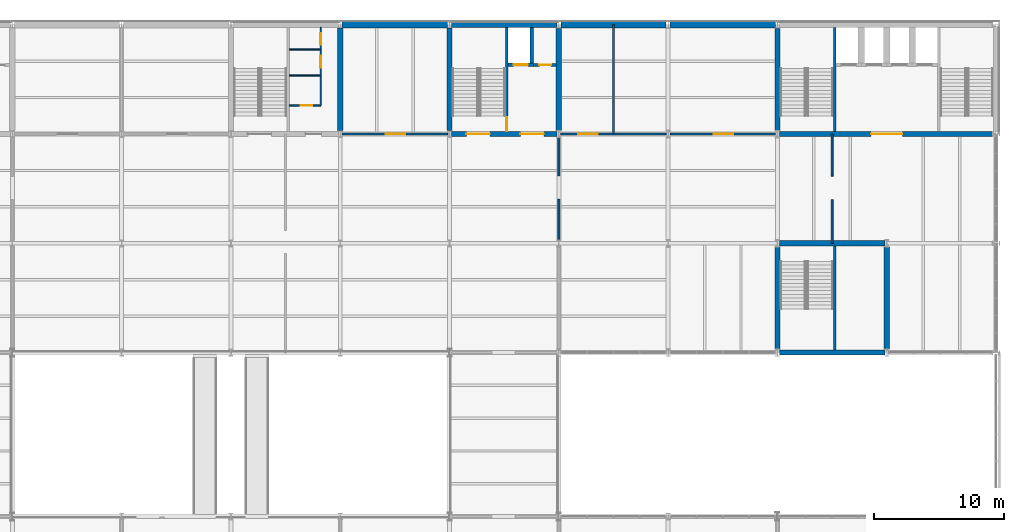
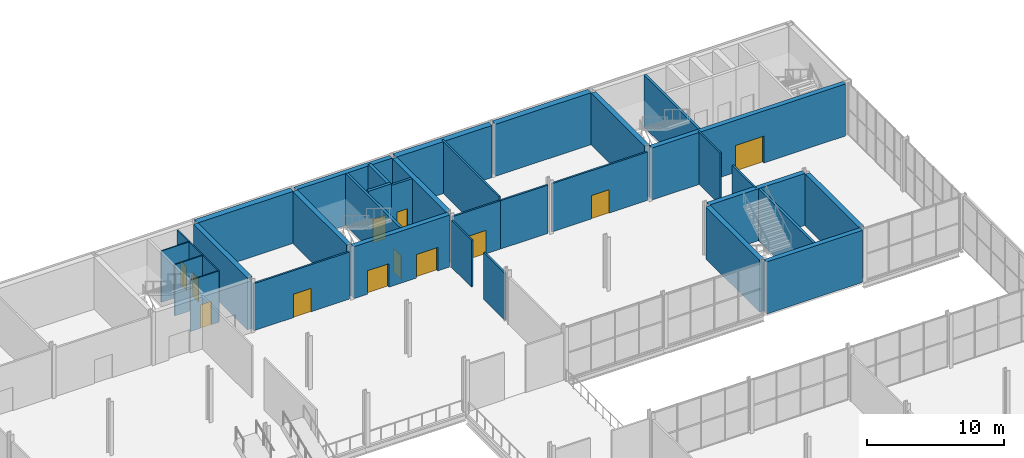
# One storey, part 40 of 61: 35 walls, 12 doors, 12 openings.
"""IFC4 building model written with IfcOpenShell, lengths in metres."""

from ifc_helpers import new_model, si_unit, direction, frame, frame_2d, origin, place, context, subcontext, project, spatial, rectangle, extrude, material, layer, layer_set, type_object, element, fill, save


model = new_model("IFC4")

# Units and contexts
model_context = context("Model", 3, precision=1e-05, world=origin(), true_north=direction((0.0, 1.0)))
body_context = subcontext(model_context, "Body", "Model", "MODEL_VIEW")
ifc_project = project(units=[si_unit("LENGTHUNIT", "METRE"), si_unit("AREAUNIT", "SQUARE_METRE"), si_unit("VOLUMEUNIT", "CUBIC_METRE"), si_unit("PLANEANGLEUNIT", "RADIAN"), si_unit("MASSUNIT", "GRAM", prefix="KILO")], contexts=[model_context])

# Site, building, storey
site_placement = place(None, origin())
site = spatial("IfcSite", under=ifc_project, at=site_placement, CompositionType="ELEMENT")
building_placement = place(site_placement, origin())
building = spatial("IfcBuilding", under=site, at=building_placement, Name="Galleria Vessillo Department Store", CompositionType="ELEMENT")
storey_placement = place(building_placement, frame((0.0, 0.0, 11.39990234375)))
storey = spatial("IfcBuildingStorey", under=building, at=storey_placement, Name="L02", CompositionType="ELEMENT", Elevation=11.39990234375)

# Wall, opening, door
ifc_material_1 = material(Name="Solid clay block masonry", Category="masonry")
ifc_layer_1 = layer(ifc_material_1, 0.25)
ifc_layer_set_1 = layer_set([ifc_layer_1], Name="Solid clay block masonry")
wall_type_1 = type_object("IfcWallType", Name="Lift shaft wall 250 mm", PredefinedType="SOLIDWALL", material=ifc_layer_set_1)
wall_1_placement = place(storey_placement, frame((80.10009765625, 59.925048828125, 0.0), z_axis=(0.0, 0.0, 1.0), x_axis=(1.0, 0.0, 0.0)))
wall_1 = element("IfcWall", 1, at=wall_1_placement, inside=storey, type_object=wall_type_1, Name="Lift shaft wall LP6 landing side L02", PredefinedType="SOLIDWALL", context=body_context, shape_type="SweptSolid", body=[
    extrude(rectangle(XDim=1.949951171875, YDim=0.25, at=frame_2d((0.97509765625, 0.0))), origin(), (0.0, 0.0, 1.0), 4.800048828125),
])
opening_1_placement = place(wall_1_placement, frame((0.4248046875, 0.0, 0.0)))
opening_1 = element("IfcOpeningElement", 2, at=opening_1_placement, cuts=wall_1, Name="Opening LD045", PredefinedType="OPENING", context=body_context, shape_type="SweptSolid", body=[
    extrude(rectangle(XDim=1.10009765625, YDim=2.10009765625, at=frame_2d((0.550048828125, 1.050048828125))), frame((0.0, 0.135009765625, 0.0), z_axis=(0.0, -1.0, 0.0), x_axis=(1.0, 0.0, 0.0)), (0.0, 0.0, 1.0), 0.27001953125),
])
ifc_material_2 = material(Name="Stainless steel lift door panel", Category="steel")
door_type_1 = type_object("IfcDoorType", Name="Lift landing door LD110 sliding 1100 x 2100", OperationType="SLIDING_TO_LEFT", PredefinedType="DOOR", material=ifc_material_2)
door_1_placement = place(opening_1_placement, frame((1.10009765625, 0.0, 0.0), z_axis=(0.0, 0.0, 1.0), x_axis=(-1.0, 0.0, 0.0)))
door_1 = element("IfcDoor", 3, at=door_1_placement, inside=storey, type_object=door_type_1, Name="Lift landing door LP6 L02", OperationType="SLIDING_TO_RIGHT", OverallHeight=2.10009765625, OverallWidth=1.10009765625, PredefinedType="DOOR", context=body_context, shape_type="SweptSolid", body=[
    extrude(rectangle(XDim=1.10009765625, YDim=2.10009765625, at=frame_2d((0.550048828125, 1.050048828125))), frame((0.0, 0.02490234375, 0.0), z_axis=(0.0, -1.0, 0.0), x_axis=(1.0, 0.0, 0.0)), (0.0, 0.0, 1.0), 0.050048828125),
])
fill(opening_1, door_1)

# Wall
wall_2_placement = place(storey_placement, frame((81.925048828125, 62.800048828125, 0.0), z_axis=(0.0, 0.0, 1.0), x_axis=(0.0, -1.0, 0.0)))
element("IfcWall", 4, at=wall_2_placement, inside=storey, type_object=wall_type_1, Name="Lift shaft wall LP6 L02", PredefinedType="SOLIDWALL", context=body_context, shape_type="SweptSolid", body=[
    extrude(rectangle(XDim=2.75, YDim=0.25, at=frame_2d((1.375, 0.0))), origin(), (0.0, 0.0, 1.0), 4.800048828125),
])

# Wall, openings, doors
ifc_material_3 = material(Name="Concrete C32/40 reinforced", Category="concrete")
ifc_layer_2 = layer(ifc_material_3, 0.39990234375)
ifc_layer_set_2 = layer_set([ifc_layer_2], Name="Concrete C32/40 reinforced")
wall_type_2 = type_object("IfcWallType", Name="Reinforced concrete core wall 400 mm", PredefinedType="SHEAR", material=ifc_layer_set_2)
wall_3_placement = place(storey_placement, frame((75.75, 54.60009765625, 0.0), z_axis=(0.0, 0.0, 1.0), x_axis=(1.0, 0.0, 0.0)))
wall_3 = element("IfcWall", 5, at=wall_3_placement, inside=storey, type_object=wall_type_2, Name="S-CW-PC-NE-INTERIOR-L02", PredefinedType="SHEAR", context=body_context, shape_type="SweptSolid", body=[
    extrude(rectangle(XDim=8.096923828125, YDim=0.39990234375, at=frame_2d((4.04833984375, 0.0))), origin(), (0.0, 0.0, 1.0), 4.650146484375),
])
opening_2_placement = place(wall_3_placement, frame((1.14990234375, 0.0, 0.0)))
opening_2 = element("IfcOpeningElement", 6, at=opening_2_placement, cuts=wall_3, Name="Opening D5175", PredefinedType="OPENING", context=body_context, shape_type="SweptSolid", body=[
    extrude(rectangle(XDim=1.800048828125, YDim=2.10009765625, at=frame_2d((0.89990234375, 1.050048828125))), frame((0.0, 0.2099609375, 0.0), z_axis=(0.0, -1.0, 0.0), x_axis=(1.0, 0.0, 0.0)), (0.0, 0.0, 1.0), 0.419921875),
])
opening_3_placement = place(wall_3_placement, frame((5.2998046875, 0.0, 0.0)))
opening_3 = element("IfcOpeningElement", 7, at=opening_3_placement, cuts=wall_3, Name="Opening D5176", PredefinedType="OPENING", context=body_context, shape_type="SweptSolid", body=[
    extrude(rectangle(XDim=1.800048828125, YDim=2.10009765625, at=frame_2d((0.89990234375, 1.050048828125))), frame((0.0, 0.2099609375, 0.0), z_axis=(0.0, -1.0, 0.0), x_axis=(1.0, 0.0, 0.0)), (0.0, 0.0, 1.0), 0.419921875),
])
ifc_material_4 = material(Name="Fire-rated steel door leaf", Category="steel")
door_type_2 = type_object("IfcDoorType", Name="Door D180F double leaf 1800 x 2100", OperationType="DOUBLE_DOOR_SINGLE_SWING", PredefinedType="DOOR", material=ifc_material_4)
door_2_placement = place(opening_2_placement, origin())
door_2 = element("IfcDoor", 8, at=door_2_placement, inside=storey, type_object=door_type_2, Name="Lobby door PC-NE-ST-FLOOR L02", OperationType="DOUBLE_DOOR_SINGLE_SWING", OverallHeight=2.10009765625, OverallWidth=1.800048828125, PredefinedType="DOOR", context=body_context, shape_type="SweptSolid", body=[
    extrude(rectangle(XDim=1.800048828125, YDim=2.10009765625, at=frame_2d((0.89990234375, 1.050048828125))), frame((0.0, 0.02490234375, 0.0), z_axis=(0.0, -1.0, 0.0), x_axis=(1.0, 0.0, 0.0)), (0.0, 0.0, 1.0), 0.050048828125),
])
fill(opening_2, door_2)
door_3_placement = place(opening_3_placement, origin())
door_3 = element("IfcDoor", 9, at=door_3_placement, inside=storey, type_object=door_type_2, Name="Lobby door PC-NE-LOBBY-FLOOR L02", OperationType="DOUBLE_DOOR_SINGLE_SWING", OverallHeight=2.10009765625, OverallWidth=1.800048828125, PredefinedType="DOOR", context=body_context, shape_type="SweptSolid", body=[
    extrude(rectangle(XDim=1.800048828125, YDim=2.10009765625, at=frame_2d((0.89990234375, 1.050048828125))), frame((0.0, 0.02490234375, 0.0), z_axis=(0.0, -1.0, 0.0), x_axis=(1.0, 0.0, 0.0)), (0.0, 0.0, 1.0), 0.050048828125),
])
fill(opening_3, door_3)

# Walls
wall_4_placement = place(storey_placement, frame((75.60009765625, 54.85009765625, 0.0), z_axis=(0.0, 0.0, 1.0), x_axis=(0.0, 1.0, 0.0)))
element("IfcWall", 10, at=wall_4_placement, inside=storey, type_object=wall_type_2, Name="S-CW-PC-NE-WEST-L02", PredefinedType="SHEAR", context=body_context, shape_type="SweptSolid", body=[
    extrude(rectangle(XDim=7.89990234375, YDim=0.39990234375, at=frame_2d((3.949951171875, 0.0))), origin(), (0.0, 0.0, 1.0), 4.650146484375),
])
wall_5_placement = place(storey_placement, frame((84.0, 54.885986328125, 0.0), z_axis=(0.0, 0.0, 1.0), x_axis=(0.0, 1.0, 0.0)))
element("IfcWall", 11, at=wall_5_placement, inside=storey, type_object=wall_type_2, Name="S-CW-PC-NE-EAST-L02", PredefinedType="SHEAR", context=body_context, shape_type="SweptSolid", body=[
    extrude(rectangle(XDim=7.828125, YDim=0.39990234375, at=frame_2d((3.9140625, 0.0))), origin(), (0.0, 0.0, 1.0), 4.650146484375),
])
wall_6_placement = place(storey_placement, frame((67.199951171875, 54.85009765625, 0.0), z_axis=(0.0, 0.0, 1.0), x_axis=(0.0, 1.0, 0.0)))
element("IfcWall", 12, at=wall_6_placement, inside=storey, type_object=wall_type_2, Name="S-CW-PC-NC-EAST-L02", PredefinedType="SHEAR", context=body_context, shape_type="SweptSolid", body=[
    extrude(rectangle(XDim=7.89990234375, YDim=0.39990234375, at=frame_2d((3.949951171875, 0.0))), origin(), (0.0, 0.0, 1.0), 4.650146484375),
])

# Wall, opening, door
wall_7_placement = place(storey_placement, frame((100.953125, 54.60009765625, 0.0), z_axis=(0.0, 0.0, 1.0), x_axis=(1.0, 0.0, 0.0)))
wall_7 = element("IfcWall", 13, at=wall_7_placement, inside=storey, type_object=wall_type_2, Name="S-CW-TC-INTERIOR-L02", PredefinedType="SHEAR", context=body_context, shape_type="SweptSolid", body=[
    extrude(rectangle(XDim=16.361083984375, YDim=0.39990234375, at=frame_2d((8.1806640625, 0.0))), origin(), (0.0, 0.0, 1.0), 4.650146484375),
])
opening_4_placement = place(wall_7_placement, frame((7.046875, 0.0, 0.0)))
opening_4 = element("IfcOpeningElement", 14, at=opening_4_placement, cuts=wall_7, Name="Opening D5266", PredefinedType="OPENING", context=body_context, shape_type="SweptSolid", body=[
    extrude(rectangle(XDim=2.39990234375, YDim=2.39990234375, at=frame_2d((1.199951171875, 1.199951171875))), frame((0.0, 0.2099609375, 0.0), z_axis=(0.0, -1.0, 0.0), x_axis=(1.0, 0.0, 0.0)), (0.0, 0.0, 1.0), 0.419921875),
])
ifc_material_5 = material(Name="Fire-rated steel door leaf", Category="steel")
door_type_3 = type_object("IfcDoorType", Name="Door D240F double leaf 2400 x 2400", OperationType="DOUBLE_DOOR_SINGLE_SWING", PredefinedType="DOOR", material=ifc_material_5)
door_4_placement = place(opening_4_placement, origin())
door_4 = element("IfcDoor", 15, at=door_4_placement, inside=storey, type_object=door_type_3, Name="Lobby door TC-LOBBY-FLOOR L02", OperationType="DOUBLE_DOOR_SINGLE_SWING", OverallHeight=2.39990234375, OverallWidth=2.39990234375, PredefinedType="DOOR", context=body_context, shape_type="SweptSolid", body=[
    extrude(rectangle(XDim=2.39990234375, YDim=2.39990234375, at=frame_2d((1.199951171875, 1.199951171875))), frame((0.0, 0.02490234375, 0.0), z_axis=(0.0, -1.0, 0.0), x_axis=(1.0, 0.0, 0.0)), (0.0, 0.0, 1.0), 0.050048828125),
])
fill(opening_4, door_4)

# Walls
wall_8_placement = place(storey_placement, frame((100.800048828125, 54.885986328125, 0.0), z_axis=(0.0, 0.0, 1.0), x_axis=(0.0, 1.0, 0.0)))
element("IfcWall", 16, at=wall_8_placement, inside=storey, type_object=wall_type_2, Name="S-CW-TC-WEST-L02", PredefinedType="SHEAR", context=body_context, shape_type="SweptSolid", body=[
    extrude(rectangle(XDim=7.828125, YDim=0.39990234375, at=frame_2d((3.9140625, 0.0))), origin(), (0.0, 0.0, 1.0), 4.650146484375),
])
for number, where, z_axis, x_axis, name in (
    (17, (100.953125, 37.800048828125, 0.0), (0.0, 0.0, 1.0), (1.0, 0.0, 0.0), "S-CW-TS-PARTY-L02"),
    (18, (100.953125, 46.199951171875, 0.0), (0.0, 0.0, 1.0), (1.0, 0.0, 0.0), "S-CW-TS-INTERIOR-L02"),
):
    element("IfcWall", number, at=place(storey_placement, frame(where, z_axis=z_axis, x_axis=x_axis)), inside=storey, type_object=wall_type_2, Name=name, PredefinedType="SHEAR", context=body_context, shape_type="SweptSolid", body=[
        extrude(rectangle(XDim=8.09375, YDim=0.39990234375, at=frame_2d((4.046875, 0.0))), origin(), (0.0, 0.0, 1.0), 4.650146484375),
    ])
for number, where, z_axis, x_axis, name in (
    (19, (100.800048828125, 38.0859375, 0.0), (0.0, 0.0, 1.0), (0.0, 1.0, 0.0), "S-CW-TS-WEST-L02"),
    (20, (109.199951171875, 38.0859375, 0.0), (0.0, 0.0, 1.0), (0.0, 1.0, 0.0), "S-CW-TS-EAST-L02"),
):
    element("IfcWall", number, at=place(storey_placement, frame(where, z_axis=z_axis, x_axis=x_axis)), inside=storey, type_object=wall_type_2, Name=name, PredefinedType="SHEAR", context=body_context, shape_type="SweptSolid", body=[
        extrude(rectangle(XDim=7.828125, YDim=0.39990234375, at=frame_2d((3.9140625, 0.0))), origin(), (0.0, 0.0, 1.0), 4.650146484375),
    ])
ifc_material_6 = material(Name="Concrete C32/40 reinforced", Category="concrete")
ifc_layer_3 = layer(ifc_material_6, 0.39990234375)
ifc_layer_set_3 = layer_set([ifc_layer_3], Name="Concrete C32/40 reinforced")
wall_type_3 = type_object("IfcWallType", Name="Reinforced concrete core wall 400 mm, external", PredefinedType="SHEAR", material=ifc_layer_set_3)
wall_9_placement = place(storey_placement, frame((75.75, 63.0, 0.0), z_axis=(0.0, 0.0, 1.0), x_axis=(1.0, 0.0, 0.0)))
element("IfcWall", 21, at=wall_9_placement, inside=storey, type_object=wall_type_3, Name="S-CW-PC-NE-PARTY-L02", PredefinedType="SHEAR", context=body_context, shape_type="SweptSolid", body=[
    extrude(rectangle(XDim=8.096923828125, YDim=0.39990234375, at=frame_2d((4.04833984375, 0.0))), origin(), (0.0, 0.0, 1.0), 4.650146484375),
])
ifc_material_7 = material(Name="Concrete C32/40 reinforced", Category="concrete")
ifc_layer_4 = layer(ifc_material_7, 0.5)
ifc_layer_set_4 = layer_set([ifc_layer_4], Name="Concrete C32/40 reinforced")
wall_type_4 = type_object("IfcWallType", Name="Reinforced concrete party wall 500 mm", PredefinedType="SHEAR", material=ifc_layer_set_4)
wall_10_placement = place(storey_placement, frame((67.349853515625, 63.0, 0.0), z_axis=(0.0, 0.0, 1.0), x_axis=(1.0, 0.0, 0.0)))
element("IfcWall", 22, at=wall_10_placement, inside=storey, type_object=wall_type_4, Name="S-PN-L02-06", PredefinedType="SHEAR", context=body_context, shape_type="SweptSolid", body=[
    extrude(rectangle(XDim=8.100341796875, YDim=0.5, at=frame_2d((4.05029296875, 0.0))), origin(), (0.0, 0.0, 1.0), 4.650146484375),
])
wall_11_placement = place(storey_placement, frame((84.153076171875, 63.0, 0.0), z_axis=(0.0, 0.0, 1.0), x_axis=(1.0, 0.0, 0.0)))
element("IfcWall", 23, at=wall_11_placement, inside=storey, type_object=wall_type_4, Name="S-PN-L02-07", PredefinedType="SHEAR", context=body_context, shape_type="SweptSolid", body=[
    extrude(rectangle(XDim=8.09375, YDim=0.5, at=frame_2d((4.046875, 0.0))), origin(), (0.0, 0.0, 1.0), 4.650146484375),
])
wall_12_placement = place(storey_placement, frame((92.552978515625, 63.0, 0.0), z_axis=(0.0, 0.0, 1.0), x_axis=(1.0, 0.0, 0.0)))
element("IfcWall", 24, at=wall_12_placement, inside=storey, type_object=wall_type_4, Name="S-PN-L02-08", PredefinedType="SHEAR", context=body_context, shape_type="SweptSolid", body=[
    extrude(rectangle(XDim=8.093994140625, YDim=0.5, at=frame_2d((4.046875, 0.0))), origin(), (0.0, 0.0, 1.0), 4.650146484375),
])

# Wall, opening, door
ifc_material_8 = material(Name="Concrete C32/40 reinforced", Category="concrete")
ifc_layer_5 = layer(ifc_material_8, 0.199951171875)
ifc_layer_set_5 = layer_set([ifc_layer_5], Name="Concrete C32/40 reinforced")
wall_type_5 = type_object("IfcWallType", Name="Reinforced concrete stair enclosure wall 200 mm", PredefinedType="SHEAR", material=ifc_layer_set_5)
wall_13_placement = place(storey_placement, frame((80.0, 62.800048828125, 0.0), z_axis=(0.0, 0.0, 1.0), x_axis=(0.0, -1.0, 0.0)))
wall_13 = element("IfcWall", 25, at=wall_13_placement, inside=storey, type_object=wall_type_5, Name="Stair enclosure wall PC-NE L02", PredefinedType="SHEAR", context=body_context, shape_type="SweptSolid", body=[
    extrude(rectangle(XDim=8.0, YDim=0.199951171875, at=frame_2d((4.0, 0.0))), origin(), (0.0, 0.0, 1.0), 4.650146484375),
])
opening_5_placement = place(wall_13_placement, frame((6.89990234375, 0.0, 0.0)))
opening_5 = element("IfcOpeningElement", 26, at=opening_5_placement, cuts=wall_13, Name="Opening D5173", PredefinedType="OPENING", context=body_context, shape_type="SweptSolid", body=[
    extrude(rectangle(XDim=1.11009765625, YDim=2.10009765625, at=frame_2d((0.554931640625, 1.050048828125))), frame((0.0, 0.10986328125, 0.0), z_axis=(0.0, -1.0, 0.0), x_axis=(1.0, 0.0, 0.0)), (0.0, 0.0, 1.0), 0.219970703125),
])
ifc_material_9 = material(Name="Fire-rated steel door leaf", Category="steel")
door_type_4 = type_object("IfcDoorType", Name="Door D110F stair door 1100 x 2100", OperationType="SINGLE_SWING_LEFT", PredefinedType="DOOR", material=ifc_material_9)
door_5_placement = place(opening_5_placement, frame((1.10009765625, 0.0, 0.0), z_axis=(0.0, 0.0, 1.0), x_axis=(-1.0, 0.0, 0.0)))
door_5 = element("IfcDoor", 27, at=door_5_placement, inside=storey, type_object=door_type_4, Name="Stair door PC-NE-ST-LOBBY L02", OperationType="SINGLE_SWING_LEFT", OverallHeight=2.10009765625, OverallWidth=1.10009765625, PredefinedType="DOOR", context=body_context, shape_type="SweptSolid", body=[
    extrude(rectangle(XDim=1.10009765625, YDim=2.10009765625, at=frame_2d((0.550048828125, 1.050048828125))), frame((0.0, 0.02490234375, 0.0), z_axis=(0.0, -1.0, 0.0), x_axis=(1.0, 0.0, 0.0)), (0.0, 0.0, 1.0), 0.050048828125),
])
fill(opening_5, door_5)

# Walls
for number, where, z_axis, x_axis, name in (
    (28, (105.199951171875, 62.800048828125, 0.0), (0.0, 0.0, 1.0), (0.0, -1.0, 0.0), "Stair enclosure wall TC L02"),
    (29, (105.199951171875, 38.0, 0.0), (0.0, 0.0, 1.0), (0.0, 1.0, 0.0), "Stair enclosure wall TS L02"),
):
    element("IfcWall", number, at=place(storey_placement, frame(where, z_axis=z_axis, x_axis=x_axis)), inside=storey, type_object=wall_type_5, Name=name, PredefinedType="SHEAR", context=body_context, shape_type="SweptSolid", body=[
        extrude(rectangle(XDim=8.0, YDim=0.199951171875, at=frame_2d((4.0, 0.0))), origin(), (0.0, 0.0, 1.0), 4.650146484375),
    ])

# Wall, opening, door
ifc_material_10 = material(Name="Hollow clay block masonry", Category="masonry")
ifc_layer_6 = layer(ifc_material_10, 0.199951171875)
ifc_layer_set_6 = layer_set([ifc_layer_6], Name="Hollow clay block masonry")
wall_type_6 = type_object("IfcWallType", Name="Riser and service room wall 200 mm", PredefinedType="PARTITIONING", material=ifc_layer_set_6)
wall_14_placement = place(storey_placement, frame((82.050048828125, 59.900146484375, 0.0), z_axis=(0.0, 0.0, 1.0), x_axis=(1.0, 0.0, 0.0)))
wall_14 = element("IfcWall", 30, at=wall_14_placement, inside=storey, type_object=wall_type_6, Name="Riser wall PC-NE-RISER L02", PredefinedType="PARTITIONING", context=body_context, shape_type="SweptSolid", body=[
    extrude(rectangle(XDim=1.75, YDim=0.199951171875, at=frame_2d((0.875, 0.0))), origin(), (0.0, 0.0, 1.0), 4.650146484375),
])
opening_6_placement = place(wall_14_placement, frame((0.449951171875, 0.0, 0.0)))
opening_6 = element("IfcOpeningElement", 31, at=opening_6_placement, cuts=wall_14, Name="Opening D5174", PredefinedType="OPENING", context=body_context, shape_type="SweptSolid", body=[
    extrude(rectangle(XDim=0.89990234375, YDim=2.10009765625, at=frame_2d((0.449951171875, 1.050048828125))), frame((0.0, 0.10986328125, 0.0), z_axis=(0.0, -1.0, 0.0), x_axis=(1.0, 0.0, 0.0)), (0.0, 0.0, 1.0), 0.219970703125),
])
ifc_material_11 = material(Name="Fire-rated steel door leaf", Category="steel")
door_type_5 = type_object("IfcDoorType", Name="Door DR90 riser access 900 x 2100", OperationType="SINGLE_SWING_LEFT", PredefinedType="DOOR", material=ifc_material_11)
door_6_placement = place(opening_6_placement, origin())
door_6 = element("IfcDoor", 32, at=door_6_placement, inside=storey, type_object=door_type_5, Name="Riser door PC-NE-RISER-D L02", OperationType="SINGLE_SWING_RIGHT", OverallHeight=2.10009765625, OverallWidth=0.89990234375, PredefinedType="DOOR", context=body_context, shape_type="SweptSolid", body=[
    extrude(rectangle(XDim=0.89990234375, YDim=2.10009765625, at=frame_2d((0.449951171875, 1.050048828125))), frame((0.0, 0.02490234375, 0.0), z_axis=(0.0, -1.0, 0.0), x_axis=(1.0, 0.0, 0.0)), (0.0, 0.0, 1.0), 0.050048828125),
])
fill(opening_6, door_6)

# Walls
ifc_material_12 = material(Name="Gypsum board partition")
ifc_layer_7 = layer(ifc_material_12, 0.139892578125)
ifc_layer_set_7 = layer_set([ifc_layer_7], Name="Gypsum board partition")
wall_type_7 = type_object("IfcWallType", Name="Sales dividing wall 140 mm", PredefinedType="PARTITIONING", material=ifc_layer_set_7)
wall_15_placement = place(storey_placement, frame((84.0, 46.48583984375, 0.0), z_axis=(0.0, 0.0, 1.0), x_axis=(0.0, 1.0, 0.0)))
element("IfcWall", 33, at=wall_15_placement, inside=storey, type_object=wall_type_7, Name="Partition wall PT3 on L02 no. 069", PredefinedType="PARTITIONING", context=body_context, shape_type="SweptSolid", body=[
    extrude(rectangle(XDim=3.10009765625, YDim=0.139892578125, at=frame_2d((1.550048828125, 0.0))), origin(), (0.0, 0.0, 1.0), 4.210205078125),
])
wall_16_placement = place(storey_placement, frame((84.0, 51.385986328125, 0.0), z_axis=(0.0, 0.0, 1.0), x_axis=(0.0, 1.0, 0.0)))
element("IfcWall", 34, at=wall_16_placement, inside=storey, type_object=wall_type_7, Name="Partition wall PT3 on L02 no. 070", PredefinedType="PARTITIONING", context=body_context, shape_type="SweptSolid", body=[
    extrude(rectangle(XDim=2.92822265625, YDim=0.139892578125, at=frame_2d((1.464111328125, 0.0))), origin(), (0.0, 0.0, 1.0), 4.210205078125),
])
wall_17_placement = place(storey_placement, frame((105.0, 46.2099609375, 0.0), z_axis=(0.0, 0.0, 1.0), x_axis=(0.0, 1.0, 0.0)))
element("IfcWall", 35, at=wall_17_placement, inside=storey, type_object=wall_type_7, Name="Partition wall PT3 on L02 no. 073", PredefinedType="PARTITIONING", context=body_context, shape_type="SweptSolid", body=[
    extrude(rectangle(XDim=3.35009765625, YDim=0.139892578125, at=frame_2d((1.675048828125, 0.0))), origin(), (0.0, 0.0, 1.0), 4.650146484375),
])
wall_18_placement = place(storey_placement, frame((105.0, 51.35986328125, 0.0), z_axis=(0.0, 0.0, 1.0), x_axis=(0.0, 1.0, 0.0)))
element("IfcWall", 36, at=wall_18_placement, inside=storey, type_object=wall_type_7, Name="Partition wall PT3 on L02 no. 074", PredefinedType="PARTITIONING", context=body_context, shape_type="SweptSolid", body=[
    extrude(rectangle(XDim=3.230224609375, YDim=0.139892578125, at=frame_2d((1.615234375, 0.0))), origin(), (0.0, 0.0, 1.0), 4.650146484375),
])

# Wall, opening, door
ifc_material_13 = material(Name="Concrete blockwork", Category="masonry")
ifc_layer_8 = layer(ifc_material_13, 0.14990234375)
ifc_layer_set_8 = layer_set([ifc_layer_8], Name="Concrete blockwork")
wall_type_8 = type_object("IfcWallType", Name="Stockroom blockwork wall 150 mm", PredefinedType="SOLIDWALL", material=ifc_layer_set_8)
wall_19_placement = place(storey_placement, frame((67.349853515625, 54.60009765625, 0.0), z_axis=(0.0, 0.0, 1.0), x_axis=(1.0, 0.0, 0.0)))
wall_19 = element("IfcWall", 37, at=wall_19_placement, inside=storey, type_object=wall_type_8, Name="Partition wall PT4 on L02 no. 031", PredefinedType="SOLIDWALL", context=body_context, shape_type="SweptSolid", body=[
    extrude(rectangle(XDim=8.100341796875, YDim=0.14990234375, at=frame_2d((4.05029296875, 0.0))), origin(), (0.0, 0.0, 1.0), 4.210205078125),
])
opening_7_placement = place(wall_19_placement, frame((3.35009765625, 0.0, 0.0)))
opening_7 = element("IfcOpeningElement", 38, at=opening_7_placement, cuts=wall_19, Name="Opening D2419", PredefinedType="OPENING", context=body_context, shape_type="SweptSolid", body=[
    extrude(rectangle(XDim=1.5, YDim=2.10009765625, at=frame_2d((0.75, 1.050048828125))), frame((0.0, 0.0849609375, 0.0), z_axis=(0.0, -1.0, 0.0), x_axis=(1.0, 0.0, 0.0)), (0.0, 0.0, 1.0), 0.169921875),
])
ifc_material_14 = material(Name="Steel fire door leaf", Category="steel")
door_type_6 = type_object("IfcDoorType", Name="Stockroom fire door 1500 double leaf", OperationType="DOUBLE_DOOR_SINGLE_SWING", PredefinedType="DOOR", material=ifc_material_14)
door_7_placement = place(opening_7_placement, origin())
door_7 = element("IfcDoor", 39, at=door_7_placement, inside=storey, type_object=door_type_6, Name="Door D2419", OperationType="DOUBLE_DOOR_SINGLE_SWING", OverallHeight=2.10009765625, OverallWidth=1.5, PredefinedType="DOOR", context=body_context, shape_type="SweptSolid", body=[
    extrude(rectangle(XDim=1.5, YDim=2.10009765625, at=frame_2d((0.75, 1.050048828125))), frame((0.0, 0.02490234375, 0.0), z_axis=(0.0, -1.0, 0.0), x_axis=(1.0, 0.0, 0.0)), (0.0, 0.0, 1.0), 0.050048828125),
])
fill(opening_7, door_7)

# Wall
wall_20_placement = place(storey_placement, frame((88.199951171875, 54.60009765625, 0.0), z_axis=(0.0, 0.0, 1.0), x_axis=(0.0, 1.0, 0.0)))
element("IfcWall", 40, at=wall_20_placement, inside=storey, type_object=wall_type_8, Name="Partition wall PT4 on L02 no. 032", PredefinedType="SOLIDWALL", context=body_context, shape_type="SweptSolid", body=[
    extrude(rectangle(XDim=8.39990234375, YDim=0.14990234375, at=frame_2d((4.199951171875, 0.0))), origin(), (0.0, 0.0, 1.0), 4.650146484375),
])

# Wall, opening, door
wall_21_placement = place(storey_placement, frame((84.153076171875, 54.60009765625, 0.0), z_axis=(0.0, 0.0, 1.0), x_axis=(1.0, 0.0, 0.0)))
wall_21 = element("IfcWall", 41, at=wall_21_placement, inside=storey, type_object=wall_type_8, Name="Partition wall PT4 on L02 no. 033", PredefinedType="SOLIDWALL", context=body_context, shape_type="SweptSolid", body=[
    extrude(rectangle(XDim=4.046875, YDim=0.14990234375, at=frame_2d((2.0234375, 0.0))), origin(), (0.0, 0.0, 1.0), 4.320068359375),
])
opening_8_placement = place(wall_21_placement, frame((1.35009765625, 0.0, 0.0)))
opening_8 = element("IfcOpeningElement", 42, at=opening_8_placement, cuts=wall_21, Name="Opening D2420", PredefinedType="OPENING", context=body_context, shape_type="SweptSolid", body=[
    extrude(rectangle(XDim=1.5, YDim=2.10009765625, at=frame_2d((0.75, 1.050048828125))), frame((0.0, 0.0849609375, 0.0), z_axis=(0.0, -1.0, 0.0), x_axis=(1.0, 0.0, 0.0)), (0.0, 0.0, 1.0), 0.169921875),
])
door_8_placement = place(opening_8_placement, origin())
door_8 = element("IfcDoor", 43, at=door_8_placement, inside=storey, type_object=door_type_6, Name="Door D2420", OperationType="DOUBLE_DOOR_SINGLE_SWING", OverallHeight=2.10009765625, OverallWidth=1.5, PredefinedType="DOOR", context=body_context, shape_type="SweptSolid", body=[
    extrude(rectangle(XDim=1.5, YDim=2.10009765625, at=frame_2d((0.75, 1.050048828125))), frame((0.0, 0.02490234375, 0.0), z_axis=(0.0, -1.0, 0.0), x_axis=(1.0, 0.0, 0.0)), (0.0, 0.0, 1.0), 0.050048828125),
])
fill(opening_8, door_8)

# Wall
wall_22_placement = place(storey_placement, frame((88.199951171875, 54.60009765625, 0.0), z_axis=(0.0, 0.0, 1.0), x_axis=(1.0, 0.0, 0.0)))
element("IfcWall", 44, at=wall_22_placement, inside=storey, type_object=wall_type_8, Name="Partition wall PT4 on L02 no. 034", PredefinedType="SOLIDWALL", context=body_context, shape_type="SweptSolid", body=[
    extrude(rectangle(XDim=4.046875, YDim=0.14990234375, at=frame_2d((2.0234375, 0.0))), origin(), (0.0, 0.0, 1.0), 4.320068359375),
])

# Wall, opening, door
wall_23_placement = place(storey_placement, frame((92.552978515625, 54.60009765625, 0.0), z_axis=(0.0, 0.0, 1.0), x_axis=(1.0, 0.0, 0.0)))
wall_23 = element("IfcWall", 45, at=wall_23_placement, inside=storey, type_object=wall_type_8, Name="Partition wall PT4 on L02 no. 035", PredefinedType="SOLIDWALL", context=body_context, shape_type="SweptSolid", body=[
    extrude(rectangle(XDim=8.093994140625, YDim=0.14990234375, at=frame_2d((4.046875, 0.0))), origin(), (0.0, 0.0, 1.0), 4.320068359375),
])
opening_9_placement = place(wall_23_placement, frame((3.35009765625, 0.0, 0.0)))
opening_9 = element("IfcOpeningElement", 46, at=opening_9_placement, cuts=wall_23, Name="Opening D2421", PredefinedType="OPENING", context=body_context, shape_type="SweptSolid", body=[
    extrude(rectangle(XDim=1.5, YDim=2.10009765625, at=frame_2d((0.75, 1.050048828125))), frame((0.0, 0.0849609375, 0.0), z_axis=(0.0, -1.0, 0.0), x_axis=(1.0, 0.0, 0.0)), (0.0, 0.0, 1.0), 0.169921875),
])
door_9_placement = place(opening_9_placement, origin())
door_9 = element("IfcDoor", 47, at=door_9_placement, inside=storey, type_object=door_type_6, Name="Door D2421", OperationType="DOUBLE_DOOR_SINGLE_SWING", OverallHeight=2.10009765625, OverallWidth=1.5, PredefinedType="DOOR", context=body_context, shape_type="SweptSolid", body=[
    extrude(rectangle(XDim=1.5, YDim=2.10009765625, at=frame_2d((0.75, 1.050048828125))), frame((0.0, 0.02490234375, 0.0), z_axis=(0.0, -1.0, 0.0), x_axis=(1.0, 0.0, 0.0)), (0.0, 0.0, 1.0), 0.050048828125),
])
fill(opening_9, door_9)

ifc_material_15 = material(Name="Moisture-resistant board partition")
ifc_layer_9 = layer(ifc_material_15, 0.10009765625)
ifc_layer_set_9 = layer_set([ifc_layer_9], Name="Moisture-resistant board partition")
wall_type_9 = type_object("IfcWallType", Name="WC and cubicle partition 100 mm", PredefinedType="PARTITIONING", material=ifc_layer_set_9)
wall_24_placement = place(storey_placement, frame((63.300048828125, 56.800048828125, 0.0), z_axis=(0.0, 0.0, 1.0), x_axis=(1.0, 0.0, 0.0)))
wall_24 = element("IfcWall", 48, at=wall_24_placement, inside=storey, type_object=wall_type_9, Name="Partition wall PT1 on L02 no. 007", PredefinedType="PARTITIONING", context=body_context, shape_type="SweptSolid", body=[
    extrude(rectangle(XDim=2.39990234375, YDim=0.10009765625, at=frame_2d((1.199951171875, 0.0))), origin(), (0.0, 0.0, 1.0), 4.580078125),
])
opening_10_placement = place(wall_24_placement, frame((0.85009765625, 0.0, 0.0)))
opening_10 = element("IfcOpeningElement", 49, at=opening_10_placement, cuts=wall_24, Name="Opening D2404", PredefinedType="OPENING", context=body_context, shape_type="SweptSolid", body=[
    extrude(rectangle(XDim=0.89990234375, YDim=2.10009765625, at=frame_2d((0.449951171875, 1.050048828125))), frame((0.0, 0.06005859375, 0.0), z_axis=(0.0, -1.0, 0.0), x_axis=(1.0, 0.0, 0.0)), (0.0, 0.0, 1.0), 0.1201171875),
])
ifc_material_16 = material(Name="Timber and glass door leaf", Category="wood")
door_type_7 = type_object("IfcDoorType", Name="Floor door 900 single leaf", OperationType="SINGLE_SWING_LEFT", PredefinedType="DOOR", material=ifc_material_16)
door_10_placement = place(opening_10_placement, frame((0.89990234375, 0.0, 0.0), z_axis=(0.0, 0.0, 1.0), x_axis=(-1.0, 0.0, 0.0)))
door_10 = element("IfcDoor", 50, at=door_10_placement, inside=storey, type_object=door_type_7, Name="Door D2404", OperationType="SINGLE_SWING_RIGHT", OverallHeight=2.10009765625, OverallWidth=0.89990234375, PredefinedType="DOOR", context=body_context, shape_type="SweptSolid", body=[
    extrude(rectangle(XDim=0.89990234375, YDim=2.10009765625, at=frame_2d((0.449951171875, 1.050048828125))), frame((0.0, 0.02490234375, 0.0), z_axis=(0.0, -1.0, 0.0), x_axis=(1.0, 0.0, 0.0)), (0.0, 0.0, 1.0), 0.050048828125),
])
fill(opening_10, door_10)

# Wall
wall_25_placement = place(storey_placement, frame((65.699951171875, 56.800048828125, 0.0), z_axis=(0.0, 0.0, 1.0), x_axis=(0.0, 1.0, 0.0)))
element("IfcWall", 51, at=wall_25_placement, inside=storey, type_object=wall_type_9, Name="Partition wall PT1 on L02 no. 008", PredefinedType="PARTITIONING", context=body_context, shape_type="SweptSolid", body=[
    extrude(rectangle(XDim=2.300048828125, YDim=0.10009765625, at=frame_2d((1.14990234375, 0.0))), origin(), (0.0, 0.0, 1.0), 4.580078125),
])

# Wall, opening, door
wall_26_placement = place(storey_placement, frame((65.699951171875, 59.10009765625, 0.0), z_axis=(0.0, 0.0, 1.0), x_axis=(0.0, 1.0, 0.0)))
wall_26 = element("IfcWall", 52, at=wall_26_placement, inside=storey, type_object=wall_type_9, Name="Partition wall PT1 on L02 no. 009", PredefinedType="PARTITIONING", context=body_context, shape_type="SweptSolid", body=[
    extrude(rectangle(XDim=2.0, YDim=0.10009765625, at=frame_2d((1.0, 0.0))), origin(), (0.0, 0.0, 1.0), 4.580078125),
])
opening_11_placement = place(wall_26_placement, frame((0.60009765625, 0.0, 0.0)))
opening_11 = element("IfcOpeningElement", 53, at=opening_11_placement, cuts=wall_26, Name="Opening D2405", PredefinedType="OPENING", context=body_context, shape_type="SweptSolid", body=[
    extrude(rectangle(XDim=0.89990234375, YDim=2.10009765625, at=frame_2d((0.449951171875, 1.050048828125))), frame((0.0, 0.06005859375, 0.0), z_axis=(0.0, -1.0, 0.0), x_axis=(1.0, 0.0, 0.0)), (0.0, 0.0, 1.0), 0.1201171875),
])
door_11_placement = place(opening_11_placement, frame((0.89990234375, 0.0, 0.0), z_axis=(0.0, 0.0, 1.0), x_axis=(-1.0, 0.0, 0.0)))
door_11 = element("IfcDoor", 54, at=door_11_placement, inside=storey, type_object=door_type_7, Name="Door D2405", OperationType="SINGLE_SWING_RIGHT", OverallHeight=2.10009765625, OverallWidth=0.89990234375, PredefinedType="DOOR", context=body_context, shape_type="SweptSolid", body=[
    extrude(rectangle(XDim=0.89990234375, YDim=2.10009765625, at=frame_2d((0.449951171875, 1.050048828125))), frame((0.0, 0.02490234375, 0.0), z_axis=(0.0, -1.0, 0.0), x_axis=(1.0, 0.0, 0.0)), (0.0, 0.0, 1.0), 0.050048828125),
])
fill(opening_11, door_11)

wall_27_placement = place(storey_placement, frame((65.699951171875, 61.10009765625, 0.0), z_axis=(0.0, 0.0, 1.0), x_axis=(0.0, 1.0, 0.0)))
wall_27 = element("IfcWall", 55, at=wall_27_placement, inside=storey, type_object=wall_type_9, Name="Partition wall PT1 on L02 no. 010", PredefinedType="PARTITIONING", context=body_context, shape_type="SweptSolid", body=[
    extrude(rectangle(XDim=1.699951171875, YDim=0.10009765625, at=frame_2d((0.85009765625, 0.0))), origin(), (0.0, 0.0, 1.0), 4.580078125),
])
opening_12_placement = place(wall_27_placement, frame((0.35009765625, 0.0, 0.0)))
opening_12 = element("IfcOpeningElement", 56, at=opening_12_placement, cuts=wall_27, Name="Opening D2406", PredefinedType="OPENING", context=body_context, shape_type="SweptSolid", body=[
    extrude(rectangle(XDim=0.89990234375, YDim=2.10009765625, at=frame_2d((0.449951171875, 1.050048828125))), frame((0.0, 0.06005859375, 0.0), z_axis=(0.0, -1.0, 0.0), x_axis=(1.0, 0.0, 0.0)), (0.0, 0.0, 1.0), 0.1201171875),
])
ifc_material_17 = material(Name="Timber and glass door leaf", Category="wood")
door_type_8 = type_object("IfcDoorType", Name="Accessible WC door 900 sliding", OperationType="SLIDING_TO_LEFT", PredefinedType="DOOR", material=ifc_material_17)
door_12_placement = place(opening_12_placement, origin())
door_12 = element("IfcDoor", 57, at=door_12_placement, inside=storey, type_object=door_type_8, Name="Door D2406", OperationType="SLIDING_TO_RIGHT", OverallHeight=2.10009765625, OverallWidth=0.89990234375, PredefinedType="DOOR", context=body_context, shape_type="SweptSolid", body=[
    extrude(rectangle(XDim=0.89990234375, YDim=2.10009765625, at=frame_2d((0.449951171875, 1.050048828125))), frame((0.0, 0.02490234375, 0.0), z_axis=(0.0, -1.0, 0.0), x_axis=(1.0, 0.0, 0.0)), (0.0, 0.0, 1.0), 0.050048828125),
])
fill(opening_12, door_12)

# Walls
for number, where, z_axis, x_axis, name in (
    (58, (63.300048828125, 59.10009765625, 0.0), (0.0, 0.0, 1.0), (1.0, 0.0, 0.0), "Partition wall PT1 on L02 no. 011"),
    (59, (63.300048828125, 61.10009765625, 0.0), (0.0, 0.0, 1.0), (1.0, 0.0, 0.0), "Partition wall PT1 on L02 no. 012"),
):
    element("IfcWall", number, at=place(storey_placement, frame(where, z_axis=z_axis, x_axis=x_axis)), inside=storey, type_object=wall_type_9, Name=name, PredefinedType="PARTITIONING", context=body_context, shape_type="SweptSolid", body=[
        extrude(rectangle(XDim=2.39990234375, YDim=0.10009765625, at=frame_2d((1.199951171875, 0.0))), origin(), (0.0, 0.0, 1.0), 4.580078125),
    ])

save(model, "model.ifc")
